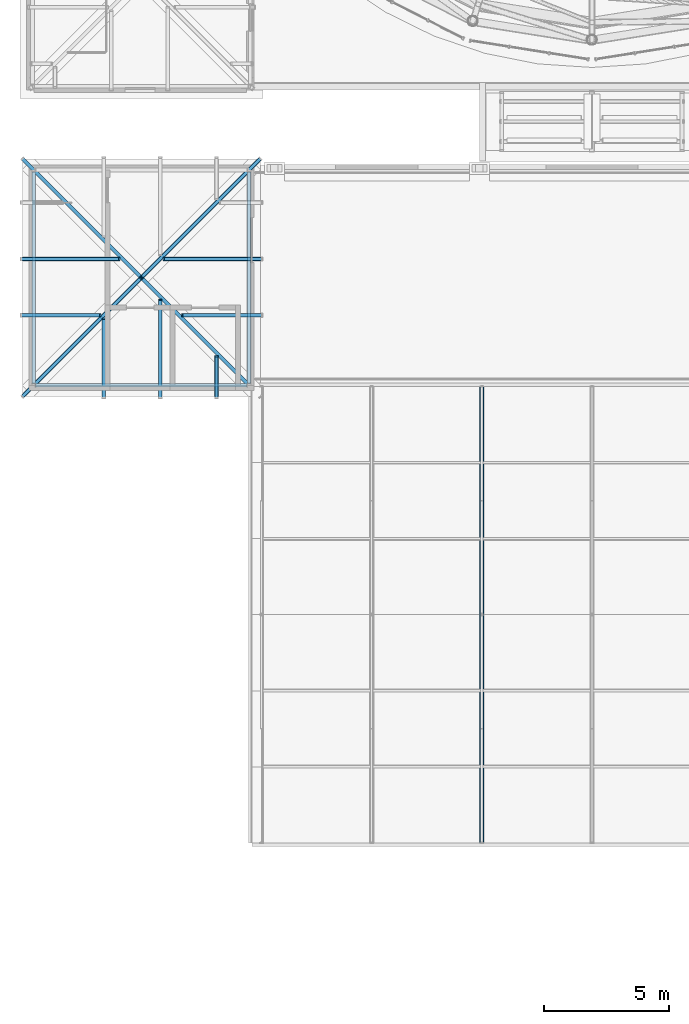
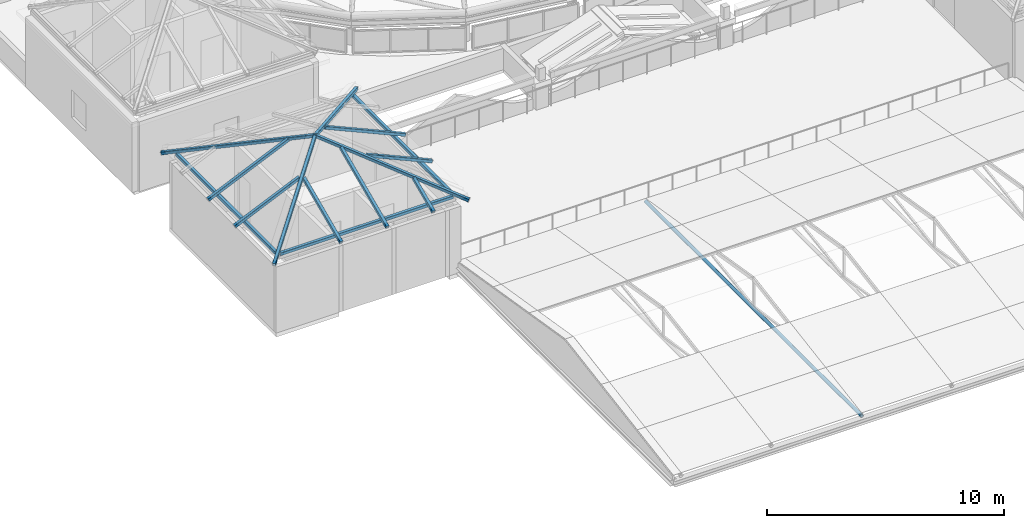
# One storey, part 8 of 69: 15 members.
"""IFC4 building model written with IfcOpenShell, lengths in metres."""

import ifcopenshell
import ifcopenshell.guid

model = None  # the IFC model being written
_history = None  # IfcOwnerHistory: only IFC2X3 demands one
_inside = {}  # id of a spatial element -> (the spatial element, [elements in it])
_under = {}  # id of a project, library or spatial element -> (it, [spatial elements below it])
_declared = {}  # id of a project -> (the project, [libraries it declares])
_typed = {}  # id of a type object -> (the type object, [elements of that type])
_made_of = {}  # id of a material, layer set ... -> (it, [elements and type objects made of it])


def new_model(schema):
    """Start an empty IFC model of exactly this schema.

    Asked for "IFC4X3", IfcOpenShell would pick the latest addendum, in which some entities
    have other attributes; the version numbers below select the first issue.
    IFC2X3 requires an IfcOwnerHistory on every rooted entity: one is made here for all.
    """
    global model, _history
    if schema == "IFC4X3":
        model = ifcopenshell.file(schema_version=(4, 3, 0, 0))
    else:
        model = ifcopenshell.file(schema=schema)
    _inside.clear()
    _under.clear()
    _declared.clear()
    _typed.clear()
    _made_of.clear()
    _history = None
    if model.schema == "IFC2X3":
        org = make("IfcOrganization", Name="unknown")
        user = make(
            "IfcPersonAndOrganization",
            ThePerson=make("IfcPerson", FamilyName="unknown"),
            TheOrganization=org,
        )
        app = make(
            "IfcApplication",
            ApplicationDeveloper=org,
            Version="unknown",
            ApplicationFullName="unknown",
            ApplicationIdentifier="unknown",
        )
        _history = make(
            "IfcOwnerHistory",
            OwningUser=user,
            OwningApplication=app,
            ChangeAction="ADDED",
            CreationDate=0,
        )
    return model


def make(cls, **values):
    """One entity of the class cls with the attributes given. An attribute that is None is left unset."""
    return model.create_entity(
        cls, **{name: value for name, value in values.items() if value is not None}
    )


def rooted(cls, **values):
    """An entity with a GlobalId (a new one), such as an element, a storey or a relation."""
    return make(cls, GlobalId=ifcopenshell.guid.new(), OwnerHistory=_history, **values)


def si_unit(unit_type, name, prefix=None):
    """IfcSIUnit, for example si_unit("LENGTHUNIT", "METRE", prefix="MILLI")."""
    return make("IfcSIUnit", UnitType=unit_type, Prefix=prefix, Name=name)


def assignment(units):
    """IfcUnitAssignment: the units of a project."""
    return None if units is None else make("IfcUnitAssignment", Units=units)


def point(xyz):
    """IfcCartesianPoint."""
    return None if xyz is None else make("IfcCartesianPoint", Coordinates=xyz)


def direction(xyz):
    """IfcDirection."""
    return None if xyz is None else make("IfcDirection", DirectionRatios=xyz)


def frame(location, z_axis=None, x_axis=None):
    """IfcAxis2Placement3D, a coordinate frame: its origin and axes. An axis left out is left unset."""
    return make(
        "IfcAxis2Placement3D",
        Location=point(location),
        Axis=direction(z_axis),
        RefDirection=direction(x_axis),
    )


def frame_2d(location, x_axis=None):
    """IfcAxis2Placement2D, a coordinate frame in the plane: its origin and x axis."""
    return make(
        "IfcAxis2Placement2D", Location=point(location), RefDirection=direction(x_axis)
    )


def origin():
    """The frame at (0, 0, 0) with its axes left unset."""
    return frame((0.0, 0.0, 0.0))


def origin_2d():
    """The frame at (0, 0) in the plane with its x axis left unset."""
    return frame_2d((0.0, 0.0))


def place(relative_to, where):
    """IfcLocalPlacement: puts the frame where relative to a parent placement (None: the world)."""
    return make(
        "IfcLocalPlacement", PlacementRelTo=relative_to, RelativePlacement=where
    )


def context(
    kind, dimensions, precision=None, world=None, true_north=None, identifier=None
):
    """IfcGeometricRepresentationContext, for example the 3D "Model" context."""
    return make(
        "IfcGeometricRepresentationContext",
        ContextIdentifier=identifier,
        ContextType=kind,
        CoordinateSpaceDimension=dimensions,
        Precision=precision,
        WorldCoordinateSystem=world,
        TrueNorth=true_north,
    )


def subcontext(parent, identifier, kind, view, scale=None):
    """IfcGeometricRepresentationSubContext, for example "Body" below "Model"."""
    return make(
        "IfcGeometricRepresentationSubContext",
        ContextIdentifier=identifier,
        ContextType=kind,
        ParentContext=parent,
        TargetScale=scale,
        TargetView=view,
    )


def project(units=None, contexts=None):
    """IfcProject with its units and contexts."""
    return rooted(
        "IfcProject",
        Name="project",
        RepresentationContexts=contexts,
        UnitsInContext=assignment(units),
    )


def spatial(cls, under=None, at=None, **own):
    """A site, building, storey or space (cls), placed at a placement, below another one or the project."""
    s = rooted(cls, ObjectPlacement=at, **own)
    if under is not None:
        _under.setdefault(under.id(), (under, []))[1].append(s)
    return s


def profile(cls, at=None, kind="AREA", **sizes):
    """A parametric profile (cls). Its sizes go by their IFC names, for example OverallWidth=200.0."""
    return make(cls, ProfileType=kind, Position=at, **sizes)


def hollow_rectangle(**sizes):
    """IfcRectangleHollowProfileDef."""
    return profile("IfcRectangleHollowProfileDef", **sizes)


def hollow_circle(**sizes):
    """IfcCircleHollowProfileDef."""
    return profile("IfcCircleHollowProfileDef", **sizes)


def extrude(swept, where, along, depth):
    """IfcExtrudedAreaSolid: the profile swept, set in the frame where, extruded along a direction by depth."""
    return make(
        "IfcExtrudedAreaSolid",
        SweptArea=swept,
        Position=where,
        ExtrudedDirection=direction(along),
        Depth=depth,
    )


def shape(context_of_items, identifier, shape_type, items):
    """IfcShapeRepresentation: the items that make up one representation, for example the "Body"."""
    return make(
        "IfcShapeRepresentation",
        ContextOfItems=context_of_items,
        RepresentationIdentifier=identifier,
        RepresentationType=shape_type,
        Items=items,
    )


def material(Name=None, Category=None):
    """IfcMaterial."""
    return make("IfcMaterial", Name=Name, Category=Category)


def material_profile(
    of_material, cross_section, Name=None, Category=None, Priority=None
):
    """IfcMaterialProfile: a cross section and its material."""
    return make(
        "IfcMaterialProfile",
        Name=Name,
        Material=of_material,
        Profile=cross_section,
        Priority=Priority,
        Category=Category,
    )


def profile_set(profiles, Name=None, composite=None):
    """IfcMaterialProfileSet."""
    return make(
        "IfcMaterialProfileSet",
        Name=Name,
        MaterialProfiles=profiles,
        CompositeProfile=composite,
    )


def made_of(thing, what):
    """Note that an element or type object is made of a material, layer set ...; save() writes the relation."""
    if what is not None:
        _made_of.setdefault(what.id(), (what, []))[1].append(thing)
    return thing


def type_object(cls, material=None, **own):
    """A type object (cls), such as IfcWallType, which elements share."""
    return made_of(rooted(cls, **own), material)


def element(
    cls,
    number,
    at=None,
    inside=None,
    cuts=None,
    type_object=None,
    material=None,
    context=None,
    identifier="Body",
    shape_type=None,
    held_by="IfcProductDefinitionShape",
    body=None,
    shapes=None,
    **own,
):
    """One element of the class cls, such as IfcWall. Its Tag is "e" and its number.

    at: its placement. inside: the storey or other place that contains it. cuts: it is an
    opening in that element (IfcRelVoidsElement). A single representation is given by context,
    identifier, shape_type and body (its items); several are given by shapes. held_by: the class
    of the entity that holds the representations. save() writes the other relations.
    """
    e = rooted(cls, Tag="e%d" % number, ObjectPlacement=at, **own)
    if body is not None:
        shapes = [shape(context, identifier, shape_type, body)]
    if shapes is not None:
        e.Representation = make(held_by, Representations=shapes)
    if inside is not None:
        _inside.setdefault(inside.id(), (inside, []))[1].append(e)
    if cuts is not None:
        rooted(
            "IfcRelVoidsElement", RelatingBuildingElement=cuts, RelatedOpeningElement=e
        )
    if type_object is not None:
        _typed.setdefault(type_object.id(), (type_object, []))[1].append(e)
    return made_of(e, material)


def aggregate(whole, parts):
    """IfcRelAggregates: a whole, such as a stair, and the parts it consists of."""
    return rooted("IfcRelAggregates", RelatingObject=whole, RelatedObjects=parts)


def save(model, path):
    """Write the relations noted so far, then the file.

    IfcRelAggregates (storeys below a building ...), IfcRelContainedInSpatialStructure (elements
    in a storey), IfcRelDefinesByType, IfcRelAssociatesMaterial and IfcRelDeclares: one each for
    every whole, place, type object, material and project.
    """
    for whole, parts in _under.values():
        aggregate(whole, parts)
    for where, things in _inside.values():
        rooted(
            "IfcRelContainedInSpatialStructure",
            RelatedElements=things,
            RelatingStructure=where,
        )
    for kind, things in _typed.values():
        rooted("IfcRelDefinesByType", RelatedObjects=things, RelatingType=kind)
    for what, things in _made_of.values():
        rooted("IfcRelAssociatesMaterial", RelatedObjects=things, RelatingMaterial=what)
    for by, libraries in _declared.values():
        rooted("IfcRelDeclares", RelatingContext=by, RelatedDefinitions=libraries)
    model.write(path)


model = new_model("IFC4")

# Units and contexts
model_context = context("Model", 3, precision=1e-05, world=origin(), true_north=direction((0.0, 1.0)))
body_context = subcontext(model_context, "Body", "Model", "MODEL_VIEW")
ifc_project = project(units=[si_unit("LENGTHUNIT", "METRE"), si_unit("AREAUNIT", "SQUARE_METRE"), si_unit("VOLUMEUNIT", "CUBIC_METRE"), si_unit("PLANEANGLEUNIT", "RADIAN"), si_unit("MASSUNIT", "GRAM", prefix="KILO")], contexts=[model_context])

# Site, building, storey
site_placement = place(None, origin())
site = spatial("IfcSite", under=ifc_project, at=site_placement, CompositionType="ELEMENT")
building_placement = place(site_placement, origin())
building = spatial("IfcBuilding", under=site, at=building_placement, Name="Kallimachos Central Library", CompositionType="ELEMENT")
storey_placement = place(building_placement, frame((0.0, 0.0, 23.39990234375)))
storey = spatial("IfcBuildingStorey", under=building, at=storey_placement, Name="L05", CompositionType="ELEMENT", Elevation=23.39990234375)

# Members
ifc_material_1 = material(Name="Steel S355J2H", Category="steel")
ifc_material_profile_1 = material_profile(ifc_material_1, hollow_circle(Radius=0.084228515625, WallThickness=0.008056640625, at=origin_2d()), Name="CHS 168.3x8")
ifc_profile_set_1 = profile_set([ifc_material_profile_1], Name="Steel S355J2H")
member_type_1 = type_object("IfcMemberType", Name="CHS 168.3x8 tie", PredefinedType="MEMBER", material=ifc_profile_set_1)
member_1_placement = place(storey_placement, frame((83.60009765625, 56.919921875, 0.374267578125), z_axis=(0.0, 1.0, 0.0), x_axis=(-1.0, 0.0, 0.0)))
element("IfcMember", 1, at=member_1_placement, inside=storey, type_object=member_type_1, Name="V4-MEM-L05-055", PredefinedType="MEMBER", context=body_context, shape_type="SweptSolid", body=[
    extrude(hollow_circle(Radius=0.084228515625, WallThickness=0.008056640625, at=origin_2d()), origin(), (0.0, 0.0, 1.0), 18.22998046875),
])
ifc_material_2 = material(Name="Steel S355J2H", Category="steel")
ifc_material_profile_2 = material_profile(ifc_material_2, hollow_rectangle(XDim=0.14990234375, YDim=0.14990234375, WallThickness=0.010009765625, InnerFilletRadius=0.010009765625, OuterFilletRadius=0.014892578125, at=origin_2d()), Name="SHS 150x150x10")
ifc_profile_set_2 = profile_set([ifc_material_profile_2], Name="Steel S355J2H")
member_type_2 = type_object("IfcMemberType", Name="SHS 150x150x10 eaves bearer", PredefinedType="STRINGER", material=ifc_profile_set_2)
for number, where, z_axis, x_axis, name in (
    (2, (65.77490234375, 75.199951171875, 3.875), (1.0, 0.0, 0.0), (0.0, 1.0, 0.0), "Head-house roof V4-NW eaves bearer S"),
    (3, (65.699951171875, 75.27490234375, 3.875), (0.0, 1.0, 0.0), (-1.0, 0.0, 0.0), "Head-house roof V4-NW eaves bearer W"),
    (4, (74.300048828125, 75.27490234375, 3.875), (0.0, 1.0, 0.0), (-1.0, 0.0, 0.0), "Head-house roof V4-NW eaves bearer E"),
):
    element("IfcMember", number, at=place(storey_placement, frame(where, z_axis=z_axis, x_axis=x_axis)), inside=storey, type_object=member_type_2, Name=name, PredefinedType="STRINGER", context=body_context, shape_type="SweptSolid", body=[
        extrude(hollow_rectangle(XDim=0.14990234375, YDim=0.14990234375, WallThickness=0.010009765625, InnerFilletRadius=0.010009765625, OuterFilletRadius=0.014892578125, at=origin_2d()), origin(), (0.0, 0.0, 1.0), 8.4501953125),
    ])
ifc_material_3 = material(Name="Steel S355J2H", Category="steel")
ifc_material_profile_3 = material_profile(ifc_material_3, hollow_rectangle(XDim=0.14990234375, YDim=0.14990234375, WallThickness=0.010009765625, InnerFilletRadius=0.010009765625, OuterFilletRadius=0.014892578125, at=origin_2d()), Name="SHS 150x150x10")
ifc_profile_set_3 = profile_set([ifc_material_profile_3], Name="Steel S355J2H")
member_type_3 = type_object("IfcMemberType", Name="SHS 150x150x10 rafter", PredefinedType="RAFTER", material=ifc_profile_set_3)
member_2_placement = place(storey_placement, frame((68.5, 74.699951171875, 3.8095703125), z_axis=(0.0, 0.913546509307, 0.40673428099), x_axis=(-1.0, 0.0, 0.0)))
element("IfcMember", 5, at=member_2_placement, inside=storey, type_object=member_type_3, Name="Head-house roof V4-NW rafter", PredefinedType="RAFTER", context=body_context, shape_type="SweptSolid", body=[
    extrude(hollow_rectangle(XDim=0.14990234375, YDim=0.14990234375, WallThickness=0.010009765625, InnerFilletRadius=0.010009765625, OuterFilletRadius=0.014892578125, at=origin_2d()), origin(), (0.0, 0.0, 1.0), 3.459228515625),
])
member_3_placement = place(storey_placement, frame((70.75, 74.699951171875, 3.8095703125), z_axis=(0.0, 0.913540850468, 0.406746990802), x_axis=(-1.0, 0.0, 0.0)))
element("IfcMember", 6, at=member_3_placement, inside=storey, type_object=member_type_3, Name="Head-house roof V4-NW rafter", PredefinedType="RAFTER", context=body_context, shape_type="SweptSolid", body=[
    extrude(hollow_rectangle(XDim=0.14990234375, YDim=0.14990234375, WallThickness=0.010009765625, InnerFilletRadius=0.010009765625, OuterFilletRadius=0.014892578125, at=origin_2d()), origin(), (0.0, 0.0, 1.0), 4.2802734375),
])
member_4_placement = place(storey_placement, frame((73.0, 74.699951171875, 3.8095703125), z_axis=(0.0, 0.913573164334, 0.406674407123), x_axis=(-1.0, 0.0, 0.0)))
element("IfcMember", 7, at=member_4_placement, inside=storey, type_object=member_type_3, Name="Head-house roof V4-NW rafter", PredefinedType="RAFTER", context=body_context, shape_type="SweptSolid", body=[
    extrude(hollow_rectangle(XDim=0.14990234375, YDim=0.14990234375, WallThickness=0.010009765625, InnerFilletRadius=0.010009765625, OuterFilletRadius=0.014892578125, at=origin_2d()), origin(), (0.0, 0.0, 1.0), 1.817138671875),
])
member_5_placement = place(storey_placement, frame((65.199951171875, 78.0, 3.8095703125), z_axis=(0.913546509307, 0.0, 0.40673428099), x_axis=(0.0, 1.0, 0.0)))
element("IfcMember", 8, at=member_5_placement, inside=storey, type_object=member_type_3, Name="Head-house roof V4-NW rafter", PredefinedType="RAFTER", context=body_context, shape_type="SweptSolid", body=[
    extrude(hollow_rectangle(XDim=0.14990234375, YDim=0.14990234375, WallThickness=0.010009765625, InnerFilletRadius=0.010009765625, OuterFilletRadius=0.014892578125, at=origin_2d()), origin(), (0.0, 0.0, 1.0), 3.459228515625),
])
member_6_placement = place(storey_placement, frame((65.199951171875, 80.25, 3.8095703125), z_axis=(0.913540850468, 0.0, 0.406746990802), x_axis=(0.0, 1.0, 0.0)))
element("IfcMember", 9, at=member_6_placement, inside=storey, type_object=member_type_3, Name="Head-house roof V4-NW rafter", PredefinedType="RAFTER", context=body_context, shape_type="SweptSolid", body=[
    extrude(hollow_rectangle(XDim=0.14990234375, YDim=0.14990234375, WallThickness=0.010009765625, InnerFilletRadius=0.010009765625, OuterFilletRadius=0.014892578125, at=origin_2d()), origin(), (0.0, 0.0, 1.0), 4.2802734375),
])
member_7_placement = place(storey_placement, frame((74.800048828125, 78.0, 3.8095703125), z_axis=(-0.913546509307, 0.0, 0.40673428099), x_axis=(0.0, -1.0, 0.0)))
element("IfcMember", 10, at=member_7_placement, inside=storey, type_object=member_type_3, Name="Head-house roof V4-NW rafter", PredefinedType="RAFTER", context=body_context, shape_type="SweptSolid", body=[
    extrude(hollow_rectangle(XDim=0.14990234375, YDim=0.14990234375, WallThickness=0.010009765625, InnerFilletRadius=0.010009765625, OuterFilletRadius=0.014892578125, at=origin_2d()), origin(), (0.0, 0.0, 1.0), 3.459228515625),
])
member_8_placement = place(storey_placement, frame((74.800048828125, 80.25, 3.8095703125), z_axis=(-0.913540850468, 0.0, 0.406746990802), x_axis=(0.0, -1.0, 0.0)))
element("IfcMember", 11, at=member_8_placement, inside=storey, type_object=member_type_3, Name="Head-house roof V4-NW rafter", PredefinedType="RAFTER", context=body_context, shape_type="SweptSolid", body=[
    extrude(hollow_rectangle(XDim=0.14990234375, YDim=0.14990234375, WallThickness=0.010009765625, InnerFilletRadius=0.010009765625, OuterFilletRadius=0.014892578125, at=origin_2d()), origin(), (0.0, 0.0, 1.0), 4.2802734375),
])
ifc_material_4 = material(Name="Steel S355J2H", Category="steel")
ifc_material_profile_4 = material_profile(ifc_material_4, hollow_rectangle(XDim=0.14990234375, YDim=0.14990234375, WallThickness=0.010009765625, InnerFilletRadius=0.010009765625, OuterFilletRadius=0.014892578125, at=origin_2d()), Name="SHS 150x150x10")
ifc_profile_set_4 = profile_set([ifc_material_profile_4], Name="Steel S355J2H")
member_type_4 = type_object("IfcMemberType", Name="SHS 200x200x10 hip rafter", PredefinedType="RAFTER", material=ifc_profile_set_4)
for number, where, z_axis, x_axis, name in (
    (12, (65.25, 74.75, 3.78173828125), (0.674474048899, 0.674474048899, 0.300282391631), (-0.707106781187, 0.707106781187, 0.0), "Head-house roof V4-NW hip"),
    (13, (74.75, 74.75, 3.78173828125), (-0.674474048899, 0.674474048899, 0.300282391631), (-0.707106781187, -0.707106781187, 0.0), "Head-house roof V4-NW hip"),
    (14, (65.25, 84.25, 3.78173828125), (0.674474048899, -0.674474048899, 0.300282391631), (0.707106781187, 0.707106781187, 0.0), "Head-house roof V4-NW hip"),
    (15, (74.75, 84.25, 3.78173828125), (-0.674474048899, -0.674474048899, 0.300282391631), (0.707106781187, -0.707106781187, 0.0), "Head-house roof V4-NW hip"),
):
    element("IfcMember", number, at=place(storey_placement, frame(where, z_axis=z_axis, x_axis=x_axis)), inside=storey, type_object=member_type_4, Name=name, PredefinedType="RAFTER", context=body_context, shape_type="SweptSolid", body=[
        extrude(hollow_rectangle(XDim=0.14990234375, YDim=0.14990234375, WallThickness=0.010009765625, InnerFilletRadius=0.010009765625, OuterFilletRadius=0.014892578125, at=origin_2d()), origin(), (0.0, 0.0, 1.0), 7.04248046875),
    ])

save(model, "model.ifc")
